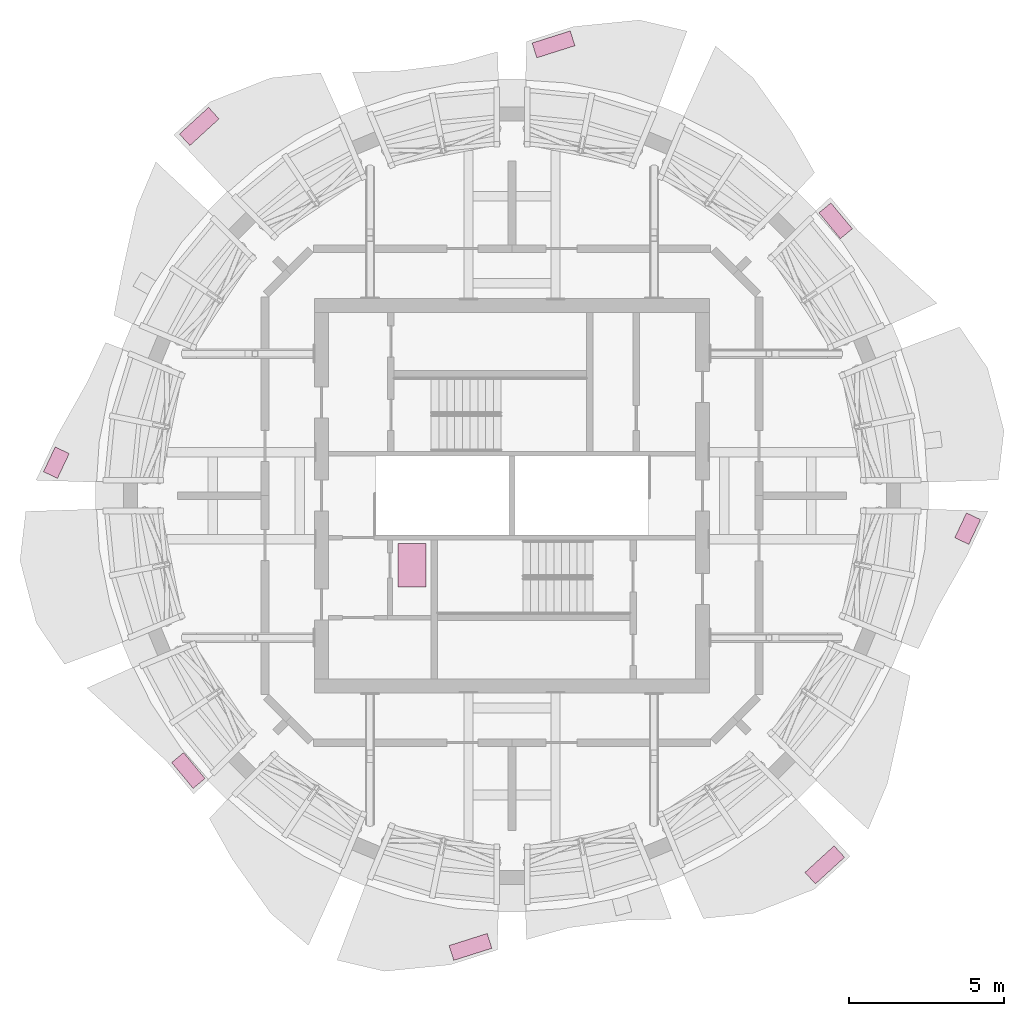
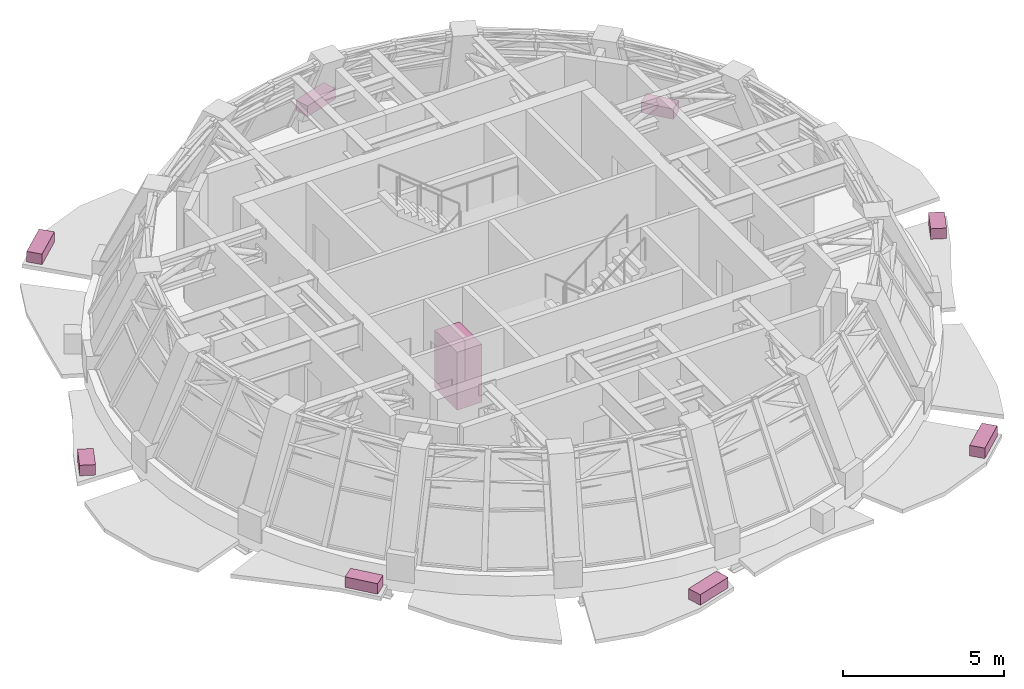
# One storey, part 12 of 12: 8 furniture elements, 1 transport element.
"""IFC4 building model written with IfcOpenShell, lengths in metres."""

import ifcopenshell
import ifcopenshell.guid

model = None  # the IFC model being written
_history = None  # IfcOwnerHistory: only IFC2X3 demands one
_inside = {}  # id of a spatial element -> (the spatial element, [elements in it])
_under = {}  # id of a project, library or spatial element -> (it, [spatial elements below it])
_declared = {}  # id of a project -> (the project, [libraries it declares])
_typed = {}  # id of a type object -> (the type object, [elements of that type])
_made_of = {}  # id of a material, layer set ... -> (it, [elements and type objects made of it])


def new_model(schema):
    """Start an empty IFC model of exactly this schema.

    Asked for "IFC4X3", IfcOpenShell would pick the latest addendum, in which some entities
    have other attributes; the version numbers below select the first issue.
    IFC2X3 requires an IfcOwnerHistory on every rooted entity: one is made here for all.
    """
    global model, _history
    if schema == "IFC4X3":
        model = ifcopenshell.file(schema_version=(4, 3, 0, 0))
    else:
        model = ifcopenshell.file(schema=schema)
    _inside.clear()
    _under.clear()
    _declared.clear()
    _typed.clear()
    _made_of.clear()
    _history = None
    if model.schema == "IFC2X3":
        org = make("IfcOrganization", Name="unknown")
        user = make(
            "IfcPersonAndOrganization",
            ThePerson=make("IfcPerson", FamilyName="unknown"),
            TheOrganization=org,
        )
        app = make(
            "IfcApplication",
            ApplicationDeveloper=org,
            Version="unknown",
            ApplicationFullName="unknown",
            ApplicationIdentifier="unknown",
        )
        _history = make(
            "IfcOwnerHistory",
            OwningUser=user,
            OwningApplication=app,
            ChangeAction="ADDED",
            CreationDate=0,
        )
    return model


def make(cls, **values):
    """One entity of the class cls with the attributes given. An attribute that is None is left unset."""
    return model.create_entity(
        cls, **{name: value for name, value in values.items() if value is not None}
    )


def rooted(cls, **values):
    """An entity with a GlobalId (a new one), such as an element, a storey or a relation."""
    return make(cls, GlobalId=ifcopenshell.guid.new(), OwnerHistory=_history, **values)


def si_unit(unit_type, name, prefix=None):
    """IfcSIUnit, for example si_unit("LENGTHUNIT", "METRE", prefix="MILLI")."""
    return make("IfcSIUnit", UnitType=unit_type, Prefix=prefix, Name=name)


def assignment(units):
    """IfcUnitAssignment: the units of a project."""
    return None if units is None else make("IfcUnitAssignment", Units=units)


def point(xyz):
    """IfcCartesianPoint."""
    return None if xyz is None else make("IfcCartesianPoint", Coordinates=xyz)


def direction(xyz):
    """IfcDirection."""
    return None if xyz is None else make("IfcDirection", DirectionRatios=xyz)


def frame(location, z_axis=None, x_axis=None):
    """IfcAxis2Placement3D, a coordinate frame: its origin and axes. An axis left out is left unset."""
    return make(
        "IfcAxis2Placement3D",
        Location=point(location),
        Axis=direction(z_axis),
        RefDirection=direction(x_axis),
    )


def frame_2d(location, x_axis=None):
    """IfcAxis2Placement2D, a coordinate frame in the plane: its origin and x axis."""
    return make(
        "IfcAxis2Placement2D", Location=point(location), RefDirection=direction(x_axis)
    )


def origin():
    """The frame at (0, 0, 0) with its axes left unset."""
    return frame((0.0, 0.0, 0.0))


def origin_2d():
    """The frame at (0, 0) in the plane with its x axis left unset."""
    return frame_2d((0.0, 0.0))


def place(relative_to, where):
    """IfcLocalPlacement: puts the frame where relative to a parent placement (None: the world)."""
    return make(
        "IfcLocalPlacement", PlacementRelTo=relative_to, RelativePlacement=where
    )


def context(
    kind, dimensions, precision=None, world=None, true_north=None, identifier=None
):
    """IfcGeometricRepresentationContext, for example the 3D "Model" context."""
    return make(
        "IfcGeometricRepresentationContext",
        ContextIdentifier=identifier,
        ContextType=kind,
        CoordinateSpaceDimension=dimensions,
        Precision=precision,
        WorldCoordinateSystem=world,
        TrueNorth=true_north,
    )


def subcontext(parent, identifier, kind, view, scale=None):
    """IfcGeometricRepresentationSubContext, for example "Body" below "Model"."""
    return make(
        "IfcGeometricRepresentationSubContext",
        ContextIdentifier=identifier,
        ContextType=kind,
        ParentContext=parent,
        TargetScale=scale,
        TargetView=view,
    )


def project(units=None, contexts=None):
    """IfcProject with its units and contexts."""
    return rooted(
        "IfcProject",
        Name="project",
        RepresentationContexts=contexts,
        UnitsInContext=assignment(units),
    )


def spatial(cls, under=None, at=None, **own):
    """A site, building, storey or space (cls), placed at a placement, below another one or the project."""
    s = rooted(cls, ObjectPlacement=at, **own)
    if under is not None:
        _under.setdefault(under.id(), (under, []))[1].append(s)
    return s


def profile(cls, at=None, kind="AREA", **sizes):
    """A parametric profile (cls). Its sizes go by their IFC names, for example OverallWidth=200.0."""
    return make(cls, ProfileType=kind, Position=at, **sizes)


def rectangle(**sizes):
    """IfcRectangleProfileDef."""
    return profile("IfcRectangleProfileDef", **sizes)


def extrude(swept, where, along, depth):
    """IfcExtrudedAreaSolid: the profile swept, set in the frame where, extruded along a direction by depth."""
    return make(
        "IfcExtrudedAreaSolid",
        SweptArea=swept,
        Position=where,
        ExtrudedDirection=direction(along),
        Depth=depth,
    )


def shape(context_of_items, identifier, shape_type, items):
    """IfcShapeRepresentation: the items that make up one representation, for example the "Body"."""
    return make(
        "IfcShapeRepresentation",
        ContextOfItems=context_of_items,
        RepresentationIdentifier=identifier,
        RepresentationType=shape_type,
        Items=items,
    )


def material(Name=None, Category=None):
    """IfcMaterial."""
    return make("IfcMaterial", Name=Name, Category=Category)


def made_of(thing, what):
    """Note that an element or type object is made of a material, layer set ...; save() writes the relation."""
    if what is not None:
        _made_of.setdefault(what.id(), (what, []))[1].append(thing)
    return thing


def type_object(cls, material=None, **own):
    """A type object (cls), such as IfcWallType, which elements share."""
    return made_of(rooted(cls, **own), material)


def element(
    cls,
    number,
    at=None,
    inside=None,
    cuts=None,
    type_object=None,
    material=None,
    context=None,
    identifier="Body",
    shape_type=None,
    held_by="IfcProductDefinitionShape",
    body=None,
    shapes=None,
    **own,
):
    """One element of the class cls, such as IfcWall. Its Tag is "e" and its number.

    at: its placement. inside: the storey or other place that contains it. cuts: it is an
    opening in that element (IfcRelVoidsElement). A single representation is given by context,
    identifier, shape_type and body (its items); several are given by shapes. held_by: the class
    of the entity that holds the representations. save() writes the other relations.
    """
    e = rooted(cls, Tag="e%d" % number, ObjectPlacement=at, **own)
    if body is not None:
        shapes = [shape(context, identifier, shape_type, body)]
    if shapes is not None:
        e.Representation = make(held_by, Representations=shapes)
    if inside is not None:
        _inside.setdefault(inside.id(), (inside, []))[1].append(e)
    if cuts is not None:
        rooted(
            "IfcRelVoidsElement", RelatingBuildingElement=cuts, RelatedOpeningElement=e
        )
    if type_object is not None:
        _typed.setdefault(type_object.id(), (type_object, []))[1].append(e)
    return made_of(e, material)


def aggregate(whole, parts):
    """IfcRelAggregates: a whole, such as a stair, and the parts it consists of."""
    return rooted("IfcRelAggregates", RelatingObject=whole, RelatedObjects=parts)


def save(model, path):
    """Write the relations noted so far, then the file.

    IfcRelAggregates (storeys below a building ...), IfcRelContainedInSpatialStructure (elements
    in a storey), IfcRelDefinesByType, IfcRelAssociatesMaterial and IfcRelDeclares: one each for
    every whole, place, type object, material and project.
    """
    for whole, parts in _under.values():
        aggregate(whole, parts)
    for where, things in _inside.values():
        rooted(
            "IfcRelContainedInSpatialStructure",
            RelatedElements=things,
            RelatingStructure=where,
        )
    for kind, things in _typed.values():
        rooted("IfcRelDefinesByType", RelatedObjects=things, RelatingType=kind)
    for what, things in _made_of.values():
        rooted("IfcRelAssociatesMaterial", RelatedObjects=things, RelatingMaterial=what)
    for by, libraries in _declared.values():
        rooted("IfcRelDeclares", RelatingContext=by, RelatedDefinitions=libraries)
    model.write(path)


model = new_model("IFC4")

# Units and contexts
model_context = context("Model", 3, precision=1e-05, world=origin(), true_north=direction((0.0, 1.0)))
body_context = subcontext(model_context, "Body", "Model", "MODEL_VIEW")
ifc_project = project(units=[si_unit("LENGTHUNIT", "METRE"), si_unit("AREAUNIT", "SQUARE_METRE"), si_unit("VOLUMEUNIT", "CUBIC_METRE"), si_unit("PLANEANGLEUNIT", "RADIAN"), si_unit("MASSUNIT", "GRAM", prefix="KILO")], contexts=[model_context])

# Site, building, storey
site_placement = place(None, origin())
site = spatial("IfcSite", under=ifc_project, at=site_placement, CompositionType="ELEMENT")
building_placement = place(site_placement, origin())
building = spatial("IfcBuilding", under=site, at=building_placement, Name="Polderwave Tower", CompositionType="ELEMENT")
storey_placement = place(building_placement, frame((0.0, 0.0, 235.39990234375)))
storey = spatial("IfcBuildingStorey", under=building, at=storey_placement, Name="L64", CompositionType="ELEMENT", Elevation=235.39990234375)

# Transport element
ifc_material_1 = material(Name="Stainless steel", Category="steel")
transport_element_type = type_object("IfcTransportElementType", Name="Service lift car 450 kg", PredefinedType="ELEVATOR", material=ifc_material_1)
transport_element_placement = place(storey_placement, frame((-3.22509765625, -2.2451171875, 0.0), z_axis=(0.0, 0.0, 1.0), x_axis=(1.0, 0.0, 0.0)))
element("IfcTransportElement", 1, at=transport_element_placement, inside=storey, type_object=transport_element_type, Name="Crown service lift CL1", PredefinedType="ELEVATOR", context=body_context, shape_type="SweptSolid", body=[
    extrude(rectangle(XDim=0.89990234375, YDim=1.39990234375, at=origin_2d()), origin(), (0.0, 0.0, 1.0), 2.199951171875),
])

# Furniture
ifc_material_2 = material(Name="Terracotta", Category="masonry")
furniture_type = type_object("IfcFurnitureType", Name="Terracotta planting trough", AssemblyPlace="NOTDEFINED", PredefinedType="USERDEFINED", material=ifc_material_2)
furniture_1_placement = place(storey_placement, frame((10.417724609375, 8.84716796875, -0.749755859375), z_axis=(0.0, 0.0, 1.0), x_axis=(-0.638462939181, 0.769652567911, 0.0)))
element("IfcFurniture", 2, at=furniture_1_placement, inside=storey, type_object=furniture_type, Name="Planting trough L64 2", ObjectType="PLANTER", PredefinedType="USERDEFINED", context=body_context, shape_type="SweptSolid", body=[
    extrude(rectangle(XDim=1.081787109375, YDim=0.5, at=origin_2d()), origin(), (0.0, 0.0, 1.0), 0.39990234375),
])
furniture_2_placement = place(storey_placement, frame((1.336669921875, 14.52587890625, -0.749755859375), z_axis=(0.0, 0.0, 1.0), x_axis=(-0.953238152185, -0.302220160181, 0.0)))
element("IfcFurniture", 3, at=furniture_2_placement, inside=storey, type_object=furniture_type, Name="Planting trough L64 4", ObjectType="PLANTER", PredefinedType="USERDEFINED", context=body_context, shape_type="SweptSolid", body=[
    extrude(rectangle(XDim=1.2880859375, YDim=0.5, at=origin_2d()), origin(), (0.0, 0.0, 1.0), 0.39990234375),
])
furniture_3_placement = place(storey_placement, frame((-10.067138671875, 11.884033203125, -0.749755859375), z_axis=(0.0, 0.0, 1.0), x_axis=(-0.737899602907, -0.674910494829, 0.0)))
element("IfcFurniture", 4, at=furniture_3_placement, inside=storey, type_object=furniture_type, Name="Planting trough L64 6", ObjectType="PLANTER", PredefinedType="USERDEFINED", context=body_context, shape_type="SweptSolid", body=[
    extrude(rectangle(XDim=1.270751953125, YDim=0.5, at=origin_2d()), origin(), (0.0, 0.0, 1.0), 0.39990234375),
])
furniture_4_placement = place(storey_placement, frame((-14.66650390625, 1.0625, -0.749755859375), z_axis=(0.0, 0.0, 1.0), x_axis=(-0.42820186508, -0.903683109692, 0.0)))
element("IfcFurniture", 5, at=furniture_4_placement, inside=storey, type_object=furniture_type, Name="Planting trough L64 8", ObjectType="PLANTER", PredefinedType="USERDEFINED", context=body_context, shape_type="SweptSolid", body=[
    extrude(rectangle(XDim=0.883544921875, YDim=0.5, at=origin_2d()), origin(), (0.0, 0.0, 1.0), 0.39990234375),
])
furniture_5_placement = place(storey_placement, frame((-10.417724609375, -8.84716796875, -0.749755859375), z_axis=(0.0, 0.0, 1.0), x_axis=(0.638462939181, -0.769652567911, 0.0)))
element("IfcFurniture", 6, at=furniture_5_placement, inside=storey, type_object=furniture_type, Name="Planting trough L64 10", ObjectType="PLANTER", PredefinedType="USERDEFINED", context=body_context, shape_type="SweptSolid", body=[
    extrude(rectangle(XDim=1.081787109375, YDim=0.5, at=origin_2d()), origin(), (0.0, 0.0, 1.0), 0.39990234375),
])
furniture_6_placement = place(storey_placement, frame((-1.336669921875, -14.52587890625, -0.749755859375), z_axis=(0.0, 0.0, 1.0), x_axis=(0.953238152185, 0.302220160181, 0.0)))
element("IfcFurniture", 7, at=furniture_6_placement, inside=storey, type_object=furniture_type, Name="Planting trough L64 12", ObjectType="PLANTER", PredefinedType="USERDEFINED", context=body_context, shape_type="SweptSolid", body=[
    extrude(rectangle(XDim=1.2880859375, YDim=0.5, at=origin_2d()), origin(), (0.0, 0.0, 1.0), 0.39990234375),
])
furniture_7_placement = place(storey_placement, frame((10.067138671875, -11.884033203125, -0.749755859375), z_axis=(0.0, 0.0, 1.0), x_axis=(0.737899602907, 0.674910494829, 0.0)))
element("IfcFurniture", 8, at=furniture_7_placement, inside=storey, type_object=furniture_type, Name="Planting trough L64 14", ObjectType="PLANTER", PredefinedType="USERDEFINED", context=body_context, shape_type="SweptSolid", body=[
    extrude(rectangle(XDim=1.270751953125, YDim=0.5, at=origin_2d()), origin(), (0.0, 0.0, 1.0), 0.39990234375),
])
furniture_8_placement = place(storey_placement, frame((14.66650390625, -1.0625, -0.749755859375), z_axis=(0.0, 0.0, 1.0), x_axis=(0.42820186508, 0.903683109692, 0.0)))
element("IfcFurniture", 9, at=furniture_8_placement, inside=storey, type_object=furniture_type, Name="Planting trough L64 16", ObjectType="PLANTER", PredefinedType="USERDEFINED", context=body_context, shape_type="SweptSolid", body=[
    extrude(rectangle(XDim=0.883544921875, YDim=0.5, at=origin_2d()), origin(), (0.0, 0.0, 1.0), 0.39990234375),
])

save(model, "model.ifc")
